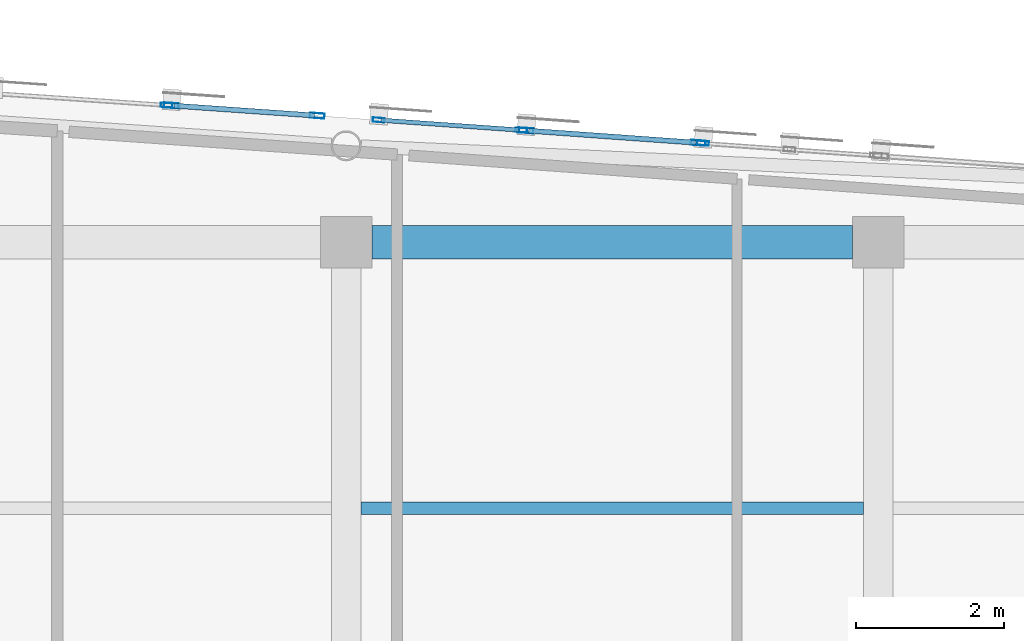
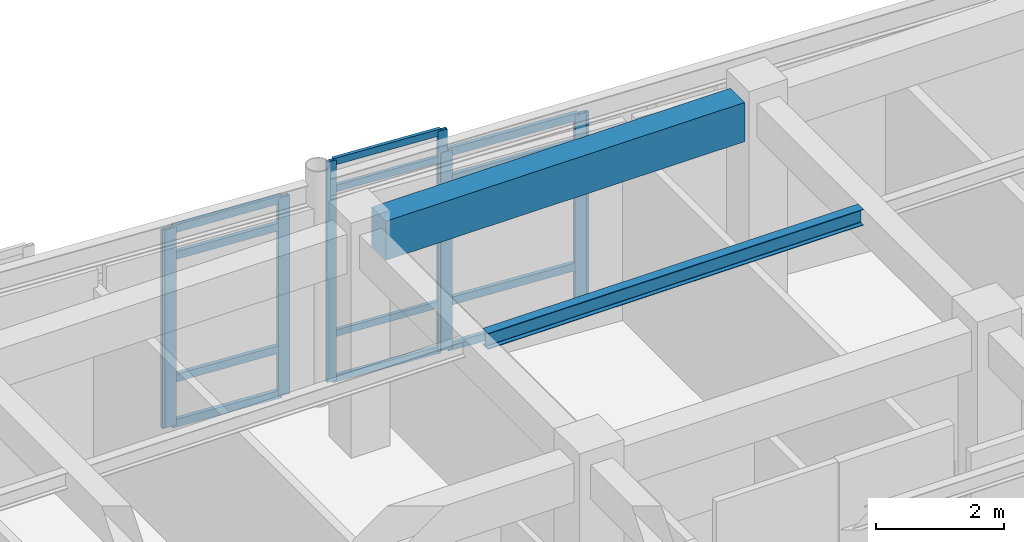
# One storey, part 46 of 106: 20 members, 2 beams, 5 elements without a shape of their own.
"""IFC4 building model written with IfcOpenShell, lengths in metres."""

import ifcopenshell
import ifcopenshell.guid

model = None  # the IFC model being written
_history = None  # IfcOwnerHistory: only IFC2X3 demands one
_inside = {}  # id of a spatial element -> (the spatial element, [elements in it])
_under = {}  # id of a project, library or spatial element -> (it, [spatial elements below it])
_declared = {}  # id of a project -> (the project, [libraries it declares])
_typed = {}  # id of a type object -> (the type object, [elements of that type])
_made_of = {}  # id of a material, layer set ... -> (it, [elements and type objects made of it])


def new_model(schema):
    """Start an empty IFC model of exactly this schema.

    Asked for "IFC4X3", IfcOpenShell would pick the latest addendum, in which some entities
    have other attributes; the version numbers below select the first issue.
    IFC2X3 requires an IfcOwnerHistory on every rooted entity: one is made here for all.
    """
    global model, _history
    if schema == "IFC4X3":
        model = ifcopenshell.file(schema_version=(4, 3, 0, 0))
    else:
        model = ifcopenshell.file(schema=schema)
    _inside.clear()
    _under.clear()
    _declared.clear()
    _typed.clear()
    _made_of.clear()
    _history = None
    if model.schema == "IFC2X3":
        org = make("IfcOrganization", Name="unknown")
        user = make(
            "IfcPersonAndOrganization",
            ThePerson=make("IfcPerson", FamilyName="unknown"),
            TheOrganization=org,
        )
        app = make(
            "IfcApplication",
            ApplicationDeveloper=org,
            Version="unknown",
            ApplicationFullName="unknown",
            ApplicationIdentifier="unknown",
        )
        _history = make(
            "IfcOwnerHistory",
            OwningUser=user,
            OwningApplication=app,
            ChangeAction="ADDED",
            CreationDate=0,
        )
    return model


def make(cls, **values):
    """One entity of the class cls with the attributes given. An attribute that is None is left unset."""
    return model.create_entity(
        cls, **{name: value for name, value in values.items() if value is not None}
    )


def rooted(cls, **values):
    """An entity with a GlobalId (a new one), such as an element, a storey or a relation."""
    return make(cls, GlobalId=ifcopenshell.guid.new(), OwnerHistory=_history, **values)


def si_unit(unit_type, name, prefix=None):
    """IfcSIUnit, for example si_unit("LENGTHUNIT", "METRE", prefix="MILLI")."""
    return make("IfcSIUnit", UnitType=unit_type, Prefix=prefix, Name=name)


def assignment(units):
    """IfcUnitAssignment: the units of a project."""
    return None if units is None else make("IfcUnitAssignment", Units=units)


def point(xyz):
    """IfcCartesianPoint."""
    return None if xyz is None else make("IfcCartesianPoint", Coordinates=xyz)


def direction(xyz):
    """IfcDirection."""
    return None if xyz is None else make("IfcDirection", DirectionRatios=xyz)


def frame(location, z_axis=None, x_axis=None):
    """IfcAxis2Placement3D, a coordinate frame: its origin and axes. An axis left out is left unset."""
    return make(
        "IfcAxis2Placement3D",
        Location=point(location),
        Axis=direction(z_axis),
        RefDirection=direction(x_axis),
    )


def frame_2d(location, x_axis=None):
    """IfcAxis2Placement2D, a coordinate frame in the plane: its origin and x axis."""
    return make(
        "IfcAxis2Placement2D", Location=point(location), RefDirection=direction(x_axis)
    )


def origin():
    """The frame at (0, 0, 0) with its axes left unset."""
    return frame((0.0, 0.0, 0.0))


def origin_2d():
    """The frame at (0, 0) in the plane with its x axis left unset."""
    return frame_2d((0.0, 0.0))


def place(relative_to, where):
    """IfcLocalPlacement: puts the frame where relative to a parent placement (None: the world)."""
    return make(
        "IfcLocalPlacement", PlacementRelTo=relative_to, RelativePlacement=where
    )


def context(
    kind, dimensions, precision=None, world=None, true_north=None, identifier=None
):
    """IfcGeometricRepresentationContext, for example the 3D "Model" context."""
    return make(
        "IfcGeometricRepresentationContext",
        ContextIdentifier=identifier,
        ContextType=kind,
        CoordinateSpaceDimension=dimensions,
        Precision=precision,
        WorldCoordinateSystem=world,
        TrueNorth=true_north,
    )


def subcontext(parent, identifier, kind, view, scale=None):
    """IfcGeometricRepresentationSubContext, for example "Body" below "Model"."""
    return make(
        "IfcGeometricRepresentationSubContext",
        ContextIdentifier=identifier,
        ContextType=kind,
        ParentContext=parent,
        TargetScale=scale,
        TargetView=view,
    )


def project(units=None, contexts=None):
    """IfcProject with its units and contexts."""
    return rooted(
        "IfcProject",
        Name="project",
        RepresentationContexts=contexts,
        UnitsInContext=assignment(units),
    )


def spatial(cls, under=None, at=None, **own):
    """A site, building, storey or space (cls), placed at a placement, below another one or the project."""
    s = rooted(cls, ObjectPlacement=at, **own)
    if under is not None:
        _under.setdefault(under.id(), (under, []))[1].append(s)
    return s


def profile(cls, at=None, kind="AREA", **sizes):
    """A parametric profile (cls). Its sizes go by their IFC names, for example OverallWidth=200.0."""
    return make(cls, ProfileType=kind, Position=at, **sizes)


def rectangle(**sizes):
    """IfcRectangleProfileDef."""
    return profile("IfcRectangleProfileDef", **sizes)


def hollow_rectangle(**sizes):
    """IfcRectangleHollowProfileDef."""
    return profile("IfcRectangleHollowProfileDef", **sizes)


def i_section(**sizes):
    """IfcIShapeProfileDef."""
    return profile("IfcIShapeProfileDef", **sizes)


def extrude(swept, where, along, depth):
    """IfcExtrudedAreaSolid: the profile swept, set in the frame where, extruded along a direction by depth."""
    return make(
        "IfcExtrudedAreaSolid",
        SweptArea=swept,
        Position=where,
        ExtrudedDirection=direction(along),
        Depth=depth,
    )


def shape(context_of_items, identifier, shape_type, items):
    """IfcShapeRepresentation: the items that make up one representation, for example the "Body"."""
    return make(
        "IfcShapeRepresentation",
        ContextOfItems=context_of_items,
        RepresentationIdentifier=identifier,
        RepresentationType=shape_type,
        Items=items,
    )


def material(Name=None, Category=None):
    """IfcMaterial."""
    return make("IfcMaterial", Name=Name, Category=Category)


def layer(
    of_material, thickness, ventilated=None, Name=None, Category=None, Priority=None
):
    """IfcMaterialLayer: one layer of a wall or slab, of a material (None: an air gap)."""
    return make(
        "IfcMaterialLayer",
        Material=of_material,
        LayerThickness=thickness,
        IsVentilated=ventilated,
        Name=Name,
        Category=Category,
        Priority=Priority,
    )


def layer_set(layers, Name=None):
    """IfcMaterialLayerSet."""
    return make("IfcMaterialLayerSet", MaterialLayers=layers, LayerSetName=Name)


def material_profile(
    of_material, cross_section, Name=None, Category=None, Priority=None
):
    """IfcMaterialProfile: a cross section and its material."""
    return make(
        "IfcMaterialProfile",
        Name=Name,
        Material=of_material,
        Profile=cross_section,
        Priority=Priority,
        Category=Category,
    )


def profile_set(profiles, Name=None, composite=None):
    """IfcMaterialProfileSet."""
    return make(
        "IfcMaterialProfileSet",
        Name=Name,
        MaterialProfiles=profiles,
        CompositeProfile=composite,
    )


def made_of(thing, what):
    """Note that an element or type object is made of a material, layer set ...; save() writes the relation."""
    if what is not None:
        _made_of.setdefault(what.id(), (what, []))[1].append(thing)
    return thing


def type_object(cls, material=None, **own):
    """A type object (cls), such as IfcWallType, which elements share."""
    return made_of(rooted(cls, **own), material)


def element(
    cls,
    number,
    at=None,
    inside=None,
    cuts=None,
    type_object=None,
    material=None,
    context=None,
    identifier="Body",
    shape_type=None,
    held_by="IfcProductDefinitionShape",
    body=None,
    shapes=None,
    **own,
):
    """One element of the class cls, such as IfcWall. Its Tag is "e" and its number.

    at: its placement. inside: the storey or other place that contains it. cuts: it is an
    opening in that element (IfcRelVoidsElement). A single representation is given by context,
    identifier, shape_type and body (its items); several are given by shapes. held_by: the class
    of the entity that holds the representations. save() writes the other relations.
    """
    e = rooted(cls, Tag="e%d" % number, ObjectPlacement=at, **own)
    if body is not None:
        shapes = [shape(context, identifier, shape_type, body)]
    if shapes is not None:
        e.Representation = make(held_by, Representations=shapes)
    if inside is not None:
        _inside.setdefault(inside.id(), (inside, []))[1].append(e)
    if cuts is not None:
        rooted(
            "IfcRelVoidsElement", RelatingBuildingElement=cuts, RelatedOpeningElement=e
        )
    if type_object is not None:
        _typed.setdefault(type_object.id(), (type_object, []))[1].append(e)
    return made_of(e, material)


def aggregate(whole, parts):
    """IfcRelAggregates: a whole, such as a stair, and the parts it consists of."""
    return rooted("IfcRelAggregates", RelatingObject=whole, RelatedObjects=parts)


def save(model, path):
    """Write the relations noted so far, then the file.

    IfcRelAggregates (storeys below a building ...), IfcRelContainedInSpatialStructure (elements
    in a storey), IfcRelDefinesByType, IfcRelAssociatesMaterial and IfcRelDeclares: one each for
    every whole, place, type object, material and project.
    """
    for whole, parts in _under.values():
        aggregate(whole, parts)
    for where, things in _inside.values():
        rooted(
            "IfcRelContainedInSpatialStructure",
            RelatedElements=things,
            RelatingStructure=where,
        )
    for kind, things in _typed.values():
        rooted("IfcRelDefinesByType", RelatedObjects=things, RelatingType=kind)
    for what, things in _made_of.values():
        rooted("IfcRelAssociatesMaterial", RelatedObjects=things, RelatingMaterial=what)
    for by, libraries in _declared.values():
        rooted("IfcRelDeclares", RelatingContext=by, RelatedDefinitions=libraries)
    model.write(path)


model = new_model("IFC4")

# Units and contexts
model_context = context("Model", 3, precision=1e-05, world=origin(), true_north=direction((0.0, 1.0)))
body_context = subcontext(model_context, "Body", "Model", "MODEL_VIEW")
ifc_project = project(units=[si_unit("LENGTHUNIT", "METRE"), si_unit("AREAUNIT", "SQUARE_METRE"), si_unit("VOLUMEUNIT", "CUBIC_METRE"), si_unit("PLANEANGLEUNIT", "RADIAN"), si_unit("MASSUNIT", "GRAM", prefix="KILO")], contexts=[model_context])

# Site, building, storey
site_placement = place(None, origin())
site = spatial("IfcSite", under=ifc_project, at=site_placement, CompositionType="ELEMENT")
building_placement = place(site_placement, origin())
building = spatial("IfcBuilding", under=site, at=building_placement, Name="Carrowvane Square Congress Hotel", CompositionType="ELEMENT")
storey_placement = place(building_placement, frame((0.0, 0.0, 10.5)))
storey = spatial("IfcBuildingStorey", under=building, at=storey_placement, Name="L02", CompositionType="ELEMENT", Elevation=10.5)

# Beams
ifc_material_1 = material(Name="Concrete C35/45", Category="concrete")
ifc_material_profile_1 = material_profile(ifc_material_1, rectangle(XDim=0.449951171875, YDim=0.75, at=origin_2d()), Name="RC 450x750")
ifc_profile_set_1 = profile_set([ifc_material_profile_1], Name="Concrete C35/45")
beam_type_1 = type_object("IfcBeamType", Name="BM-RC-450x750", PredefinedType="USERDEFINED", material=ifc_profile_set_1)
beam_1_placement = place(storey_placement, frame((134.35009765625, 113.39990234375, 3.844970703125), z_axis=(1.0, 0.0, 0.0), x_axis=(0.0, 1.0, 0.0)))
element("IfcBeam", 1, at=beam_1_placement, inside=storey, type_object=beam_type_1, Name="L03 girder R/18-19", ObjectType="GIRDER", PredefinedType="USERDEFINED", context=body_context, shape_type="SweptSolid", body=[
    extrude(rectangle(XDim=0.449951171875, YDim=0.75, at=origin_2d()), origin(), (0.0, 0.0, 1.0), 6.5),
])
ifc_material_2 = material(Name="Steel S355", Category="steel")
ifc_material_profile_2 = material_profile(ifc_material_2, i_section(OverallWidth=0.165771484375, OverallDepth=0.306640625, WebThickness=0.006591796875, FlangeThickness=0.01171875, FilletRadius=0.0087890625, at=origin_2d()), Name="UKB 305x165x46")
ifc_profile_set_2 = profile_set([ifc_material_profile_2], Name="Steel S355")
beam_type_2 = type_object("IfcBeamType", Name="BM-ST-UKB305", PredefinedType="JOIST", material=ifc_profile_set_2)
beam_2_placement = place(storey_placement, frame((134.199951171875, 109.800048828125, 4.066650390625), z_axis=(1.0, 0.0, 0.0), x_axis=(0.0, 1.0, 0.0)))
element("IfcBeam", 2, at=beam_2_placement, inside=storey, type_object=beam_type_2, Name="L03 secondary joist 18-19", PredefinedType="JOIST", context=body_context, shape_type="SweptSolid", body=[
    extrude(i_section(OverallWidth=0.165771484375, OverallDepth=0.306640625, WebThickness=0.006591796875, FlangeThickness=0.01171875, FilletRadius=0.0087890625, at=origin_2d()), origin(), (0.0, 0.0, 1.0), 6.800048828125),
])

# Curtain wall, member
ifc_material_3 = material(Name="Anodised aluminium", Category="aluminium")
ifc_layer_1 = layer(ifc_material_3, 0.162109375)
ifc_layer_set_1 = layer_set([ifc_layer_1], Name="Anodised aluminium")
curtain_wall_type_1 = type_object("IfcCurtainWallType", Name="CW-SYS-1", PredefinedType="NOTDEFINED", material=ifc_layer_set_1)
curtain_wall_1_placement = place(storey_placement, origin())
curtain_wall_1 = element("IfcCurtainWall", 3, at=curtain_wall_1_placement, inside=storey, type_object=curtain_wall_type_1, Name="L02 unitised curtain wall 168", PredefinedType="NOTDEFINED")
ifc_material_4 = material(Name="Anodised aluminium", Category="aluminium")
ifc_material_profile_3 = material_profile(ifc_material_4, hollow_rectangle(XDim=0.06005859375, YDim=0.159912109375, WallThickness=0.00390625, at=origin_2d()), Name="CW-ML 60x160x4")
ifc_profile_set_3 = profile_set([ifc_material_profile_3], Name="Anodised aluminium")
member_type_1 = type_object("IfcMemberType", Name="CW-MUL-1", PredefinedType="MULLION", material=ifc_profile_set_3)
member_1_placement = place(storey_placement, frame((131.570068359375, 115.255859375, 0.0), z_axis=(0.0, 0.0, 1.0), x_axis=(0.067869562107, 0.99769420292, 0.0)))
member_1 = element("IfcMember", 4, at=member_1_placement, type_object=member_type_1, Name="CW-1 mullion 2", PredefinedType="MULLION", context=body_context, shape_type="SweptSolid", body=[
    extrude(hollow_rectangle(XDim=0.06005859375, YDim=0.159912109375, WallThickness=0.00390625, at=origin_2d()), origin(), (0.0, 0.0, 1.0), 3.795654296875),
])
aggregate(curtain_wall_1, [member_1])

# Curtain wall, members
ifc_material_5 = material(Name="Anodised aluminium", Category="aluminium")
ifc_layer_2 = layer(ifc_material_5, 0.18603515625)
ifc_layer_set_2 = layer_set([ifc_layer_2], Name="Anodised aluminium")
curtain_wall_type_2 = type_object("IfcCurtainWallType", Name="CW-SYS-3", PredefinedType="NOTDEFINED", material=ifc_layer_set_2)
curtain_wall_2_placement = place(storey_placement, origin())
curtain_wall_2 = element("IfcCurtainWall", 5, at=curtain_wall_2_placement, inside=storey, type_object=curtain_wall_type_2, Name="L02 unitised curtain wall 170", PredefinedType="NOTDEFINED")
member_2_placement = place(storey_placement, frame((134.4404296875, 115.0546875, 0.0), z_axis=(0.0, 0.0, 1.0), x_axis=(0.070959862453, 0.997479171673, 0.0)))
member_2 = element("IfcMember", 6, at=member_2_placement, type_object=member_type_1, Name="CW-3 mullion 1", PredefinedType="MULLION", context=body_context, shape_type="SweptSolid", body=[
    extrude(hollow_rectangle(XDim=0.06005859375, YDim=0.159912109375, WallThickness=0.00390625, at=origin_2d()), origin(), (0.0, 0.0, 1.0), 4.219970703125),
])
member_3_placement = place(storey_placement, frame((136.3701171875, 114.91748046875, 0.0), z_axis=(0.0, 0.0, 1.0), x_axis=(0.070959862453, 0.997479171673, 0.0)))
member_3 = element("IfcMember", 7, at=member_3_placement, type_object=member_type_1, Name="CW-3 mullion 2", PredefinedType="MULLION", context=body_context, shape_type="SweptSolid", body=[
    extrude(hollow_rectangle(XDim=0.06005859375, YDim=0.159912109375, WallThickness=0.00390625, at=origin_2d()), origin(), (0.0, 0.0, 1.0), 4.219970703125),
])

# Curtain wall, member
ifc_material_6 = material(Name="Anodised aluminium", Category="aluminium")
ifc_layer_3 = layer(ifc_material_6, 0.2099609375)
ifc_layer_set_3 = layer_set([ifc_layer_3], Name="Anodised aluminium")
curtain_wall_type_3 = type_object("IfcCurtainWallType", Name="CW-SYS-5", PredefinedType="NOTDEFINED", material=ifc_layer_set_3)
curtain_wall_3_placement = place(storey_placement, origin())
curtain_wall_3 = element("IfcCurtainWall", 8, at=curtain_wall_3_placement, inside=storey, type_object=curtain_wall_type_3, Name="L02 unitised curtain wall 172", PredefinedType="NOTDEFINED")
member_4_placement = place(storey_placement, frame((138.829833984375, 114.740966796875, 0.0), z_axis=(0.0, 0.0, 1.0), x_axis=(0.071422490945, 0.997446152826, 0.0)))
member_4 = element("IfcMember", 9, at=member_4_placement, type_object=member_type_1, Name="CW-5 mullion 1", PredefinedType="MULLION", context=body_context, shape_type="SweptSolid", body=[
    extrude(hollow_rectangle(XDim=0.06005859375, YDim=0.159912109375, WallThickness=0.00390625, at=origin_2d()), origin(), (0.0, 0.0, 1.0), 3.795654296875),
])
aggregate(curtain_wall_3, [member_4])

# Curtain wall, members
ifc_material_7 = material(Name="Anodised aluminium", Category="aluminium")
ifc_layer_4 = layer(ifc_material_7, 0.174072265625)
ifc_layer_set_4 = layer_set([ifc_layer_4], Name="Anodised aluminium")
curtain_wall_type_4 = type_object("IfcCurtainWallType", Name="CW-SYS-2", PredefinedType="NOTDEFINED", material=ifc_layer_set_4)
curtain_wall_4_placement = place(storey_placement, origin())
curtain_wall_4 = element("IfcCurtainWall", 10, at=curtain_wall_4_placement, inside=storey, type_object=curtain_wall_type_4, Name="L02 unitised curtain wall 169", PredefinedType="NOTDEFINED")
ifc_material_8 = material(Name="Anodised aluminium", Category="aluminium")
ifc_material_profile_4 = material_profile(ifc_material_8, hollow_rectangle(XDim=0.070068359375, YDim=0.199951171875, WallThickness=0.0048828125, at=origin_2d()), Name="CW-ML 70x200x5")
ifc_profile_set_4 = profile_set([ifc_material_profile_4], Name="Anodised aluminium")
member_type_2 = type_object("IfcMemberType", Name="CW-MUL-2", PredefinedType="MULLION", material=ifc_profile_set_4)
member_5_placement = place(storey_placement, frame((131.635009765625, 115.251220703125, 0.0), z_axis=(0.0, 0.0, 1.0), x_axis=(0.069726879118, 0.997566119277, 0.0)))
member_5 = element("IfcMember", 11, at=member_5_placement, type_object=member_type_2, Name="CW-2 mullion 1", PredefinedType="MULLION", context=body_context, shape_type="SweptSolid", body=[
    extrude(hollow_rectangle(XDim=0.070068359375, YDim=0.199951171875, WallThickness=0.0048828125, at=origin_2d()), origin(), (0.0, 0.0, 1.0), 3.795654296875),
])
member_6_placement = place(storey_placement, frame((133.60791015625, 115.11328125, 0.0), z_axis=(0.0, 0.0, 1.0), x_axis=(0.069726879118, 0.997566119277, 0.0)))
member_6 = element("IfcMember", 12, at=member_6_placement, type_object=member_type_2, Name="CW-2 mullion 2", PredefinedType="MULLION", context=body_context, shape_type="SweptSolid", body=[
    extrude(hollow_rectangle(XDim=0.070068359375, YDim=0.199951171875, WallThickness=0.0048828125, at=origin_2d()), origin(), (0.0, 0.0, 1.0), 3.795654296875),
])

ifc_material_9 = material(Name="Anodised aluminium", Category="aluminium")
ifc_layer_5 = layer(ifc_material_9, 0.197998046875)
ifc_layer_set_5 = layer_set([ifc_layer_5], Name="Anodised aluminium")
curtain_wall_type_5 = type_object("IfcCurtainWallType", Name="CW-SYS-4", PredefinedType="NOTDEFINED", material=ifc_layer_set_5)
curtain_wall_5_placement = place(storey_placement, origin())
curtain_wall_5 = element("IfcCurtainWall", 13, at=curtain_wall_5_placement, inside=storey, type_object=curtain_wall_type_5, Name="L02 unitised curtain wall 171", PredefinedType="NOTDEFINED")
member_7_placement = place(storey_placement, frame((136.434814453125, 114.912841796875, 0.0), z_axis=(0.0, 0.0, 1.0), x_axis=(0.071531759512, 0.997438322595, 0.0)))
member_7 = element("IfcMember", 14, at=member_7_placement, type_object=member_type_2, Name="CW-4 mullion 1", PredefinedType="MULLION", context=body_context, shape_type="SweptSolid", body=[
    extrude(hollow_rectangle(XDim=0.070068359375, YDim=0.199951171875, WallThickness=0.0048828125, at=origin_2d()), origin(), (0.0, 0.0, 1.0), 3.795654296875),
])
member_8_placement = place(storey_placement, frame((138.76513671875, 114.74560546875, 0.0), z_axis=(0.0, 0.0, 1.0), x_axis=(0.071531759512, 0.997438322595, 0.0)))
member_8 = element("IfcMember", 15, at=member_8_placement, type_object=member_type_2, Name="CW-4 mullion 2", PredefinedType="MULLION", context=body_context, shape_type="SweptSolid", body=[
    extrude(hollow_rectangle(XDim=0.070068359375, YDim=0.199951171875, WallThickness=0.0048828125, at=origin_2d()), origin(), (0.0, 0.0, 1.0), 3.795654296875),
])

# Member
ifc_material_10 = material(Name="Anodised aluminium", Category="aluminium")
ifc_material_profile_5 = material_profile(ifc_material_10, hollow_rectangle(XDim=0.06005859375, YDim=0.1298828125, WallThickness=0.00390625, at=origin_2d()), Name="CW-TR 60x130x4")
ifc_profile_set_5 = profile_set([ifc_material_profile_5], Name="Anodised aluminium")
member_type_3 = type_object("IfcMemberType", Name="CW-TRN-1", PredefinedType="USERDEFINED", material=ifc_profile_set_5)
member_9_placement = place(storey_placement, frame((134.470458984375, 115.052490234375, 0.030029296875), z_axis=(0.997477179268, -0.070987864025, 0.0), x_axis=(0.070987864025, 0.997477179268, 0.0)))
member_9 = element("IfcMember", 16, at=member_9_placement, type_object=member_type_3, Name="CW-3 transom 1.1", ObjectType="TRANSOM", PredefinedType="USERDEFINED", context=body_context, shape_type="SweptSolid", body=[
    extrude(hollow_rectangle(XDim=0.06005859375, YDim=0.1298828125, WallThickness=0.00390625, at=origin_2d()), origin(), (0.0, 0.0, 1.0), 1.874267578125),
])

member_10_placement = place(storey_placement, frame((134.470458984375, 115.052490234375, 0.89990234375), z_axis=(0.997477179268, -0.070987864025, 0.0), x_axis=(0.070987864025, 0.997477179268, 0.0)))
member_10 = element("IfcMember", 17, at=member_10_placement, type_object=member_type_3, Name="CW-3 transom 1.2", ObjectType="TRANSOM", PredefinedType="USERDEFINED", context=body_context, shape_type="SweptSolid", body=[
    extrude(hollow_rectangle(XDim=0.06005859375, YDim=0.1298828125, WallThickness=0.00390625, at=origin_2d()), origin(), (0.0, 0.0, 1.0), 1.874267578125),
])

member_11_placement = place(storey_placement, frame((134.470458984375, 115.052490234375, 3.669921875), z_axis=(0.997477179268, -0.070987864025, 0.0), x_axis=(0.070987864025, 0.997477179268, 0.0)))
member_11 = element("IfcMember", 18, at=member_11_placement, type_object=member_type_3, Name="CW-3 transom 1.3", ObjectType="TRANSOM", PredefinedType="USERDEFINED", context=body_context, shape_type="SweptSolid", body=[
    extrude(hollow_rectangle(XDim=0.06005859375, YDim=0.1298828125, WallThickness=0.00390625, at=origin_2d()), origin(), (0.0, 0.0, 1.0), 1.874267578125),
])

member_12_placement = place(storey_placement, frame((134.470458984375, 115.052490234375, 4.18994140625), z_axis=(0.997477179268, -0.070987864025, 0.0), x_axis=(0.070987864025, 0.997477179268, 0.0)))
member_12 = element("IfcMember", 19, at=member_12_placement, type_object=member_type_3, Name="CW-3 transom 1.4", ObjectType="TRANSOM", PredefinedType="USERDEFINED", context=body_context, shape_type="SweptSolid", body=[
    extrude(hollow_rectangle(XDim=0.06005859375, YDim=0.1298828125, WallThickness=0.00390625, at=origin_2d()), origin(), (0.0, 0.0, 1.0), 1.874267578125),
])

aggregate(curtain_wall_2, [member_2, member_3, member_9, member_10, member_11, member_12])

ifc_material_11 = material(Name="Anodised aluminium", Category="aluminium")
ifc_material_profile_6 = material_profile(ifc_material_11, hollow_rectangle(XDim=0.070068359375, YDim=0.14990234375, WallThickness=0.0048828125, at=origin_2d()), Name="CW-TR 70x150x5")
ifc_profile_set_6 = profile_set([ifc_material_profile_6], Name="Anodised aluminium")
member_type_4 = type_object("IfcMemberType", Name="CW-TRN-2", PredefinedType="USERDEFINED", material=ifc_profile_set_6)
member_13_placement = place(storey_placement, frame((131.669921875, 115.248779296875, 0.034912109375), z_axis=(0.997564758175, -0.069746349353, 0.0), x_axis=(0.069746349353, 0.997564758175, 0.0)))
member_13 = element("IfcMember", 20, at=member_13_placement, type_object=member_type_4, Name="CW-2 transom 1.1", ObjectType="TRANSOM", PredefinedType="USERDEFINED", context=body_context, shape_type="SweptSolid", body=[
    extrude(hollow_rectangle(XDim=0.070068359375, YDim=0.14990234375, WallThickness=0.0048828125, at=origin_2d()), origin(), (0.0, 0.0, 1.0), 1.90771484375),
])

member_14_placement = place(storey_placement, frame((131.669921875, 115.248779296875, 0.89990234375), z_axis=(0.997564758175, -0.069746349353, 0.0), x_axis=(0.069746349353, 0.997564758175, 0.0)))
member_14 = element("IfcMember", 21, at=member_14_placement, type_object=member_type_4, Name="CW-2 transom 1.2", ObjectType="TRANSOM", PredefinedType="USERDEFINED", context=body_context, shape_type="SweptSolid", body=[
    extrude(hollow_rectangle(XDim=0.070068359375, YDim=0.14990234375, WallThickness=0.0048828125, at=origin_2d()), origin(), (0.0, 0.0, 1.0), 1.90771484375),
])

member_15_placement = place(storey_placement, frame((131.669921875, 115.248779296875, 3.24560546875), z_axis=(0.997564758175, -0.069746349353, 0.0), x_axis=(0.069746349353, 0.997564758175, 0.0)))
member_15 = element("IfcMember", 22, at=member_15_placement, type_object=member_type_4, Name="CW-2 transom 1.3", ObjectType="TRANSOM", PredefinedType="USERDEFINED", context=body_context, shape_type="SweptSolid", body=[
    extrude(hollow_rectangle(XDim=0.070068359375, YDim=0.14990234375, WallThickness=0.0048828125, at=origin_2d()), origin(), (0.0, 0.0, 1.0), 1.90771484375),
])

member_16_placement = place(storey_placement, frame((131.669921875, 115.248779296875, 3.760498046875), z_axis=(0.997564758175, -0.069746349353, 0.0), x_axis=(0.069746349353, 0.997564758175, 0.0)))
member_16 = element("IfcMember", 23, at=member_16_placement, type_object=member_type_4, Name="CW-2 transom 1.4", ObjectType="TRANSOM", PredefinedType="USERDEFINED", context=body_context, shape_type="SweptSolid", body=[
    extrude(hollow_rectangle(XDim=0.070068359375, YDim=0.14990234375, WallThickness=0.0048828125, at=origin_2d()), origin(), (0.0, 0.0, 1.0), 1.90771484375),
])

aggregate(curtain_wall_4, [member_5, member_6, member_13, member_14, member_15, member_16])

member_17_placement = place(storey_placement, frame((136.4697265625, 114.91015625, 0.034912109375), z_axis=(0.99743842674, -0.071530307307, 0.0), x_axis=(0.071530307307, 0.99743842674, 0.0)))
member_17 = element("IfcMember", 24, at=member_17_placement, type_object=member_type_4, Name="CW-4 transom 1.1", ObjectType="TRANSOM", PredefinedType="USERDEFINED", context=body_context, shape_type="SweptSolid", body=[
    extrude(hollow_rectangle(XDim=0.070068359375, YDim=0.14990234375, WallThickness=0.0048828125, at=origin_2d()), origin(), (0.0, 0.0, 1.0), 2.266357421875),
])

member_18_placement = place(storey_placement, frame((136.4697265625, 114.91015625, 0.89990234375), z_axis=(0.99743842674, -0.071530307307, 0.0), x_axis=(0.071530307307, 0.99743842674, 0.0)))
member_18 = element("IfcMember", 25, at=member_18_placement, type_object=member_type_4, Name="CW-4 transom 1.2", ObjectType="TRANSOM", PredefinedType="USERDEFINED", context=body_context, shape_type="SweptSolid", body=[
    extrude(hollow_rectangle(XDim=0.070068359375, YDim=0.14990234375, WallThickness=0.0048828125, at=origin_2d()), origin(), (0.0, 0.0, 1.0), 2.266357421875),
])

member_19_placement = place(storey_placement, frame((136.4697265625, 114.91015625, 3.24560546875), z_axis=(0.99743842674, -0.071530307307, 0.0), x_axis=(0.071530307307, 0.99743842674, 0.0)))
member_19 = element("IfcMember", 26, at=member_19_placement, type_object=member_type_4, Name="CW-4 transom 1.3", ObjectType="TRANSOM", PredefinedType="USERDEFINED", context=body_context, shape_type="SweptSolid", body=[
    extrude(hollow_rectangle(XDim=0.070068359375, YDim=0.14990234375, WallThickness=0.0048828125, at=origin_2d()), origin(), (0.0, 0.0, 1.0), 2.266357421875),
])

member_20_placement = place(storey_placement, frame((136.4697265625, 114.91015625, 3.760498046875), z_axis=(0.99743842674, -0.071530307307, 0.0), x_axis=(0.071530307307, 0.99743842674, 0.0)))
member_20 = element("IfcMember", 27, at=member_20_placement, type_object=member_type_4, Name="CW-4 transom 1.4", ObjectType="TRANSOM", PredefinedType="USERDEFINED", context=body_context, shape_type="SweptSolid", body=[
    extrude(hollow_rectangle(XDim=0.070068359375, YDim=0.14990234375, WallThickness=0.0048828125, at=origin_2d()), origin(), (0.0, 0.0, 1.0), 2.266357421875),
])

aggregate(curtain_wall_5, [member_7, member_8, member_17, member_18, member_19, member_20])

save(model, "model.ifc")
